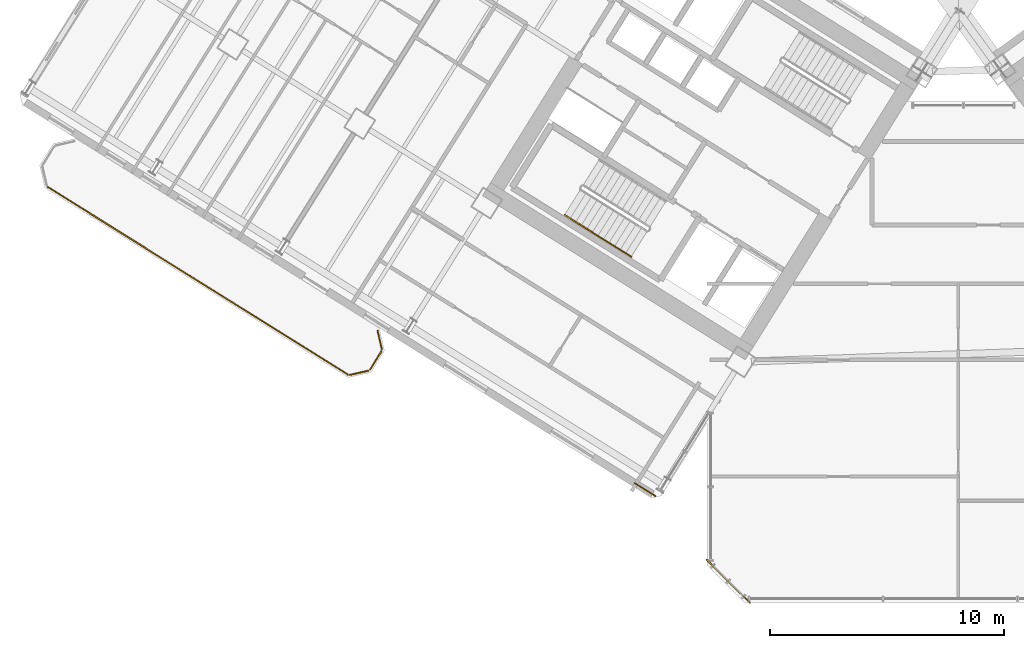
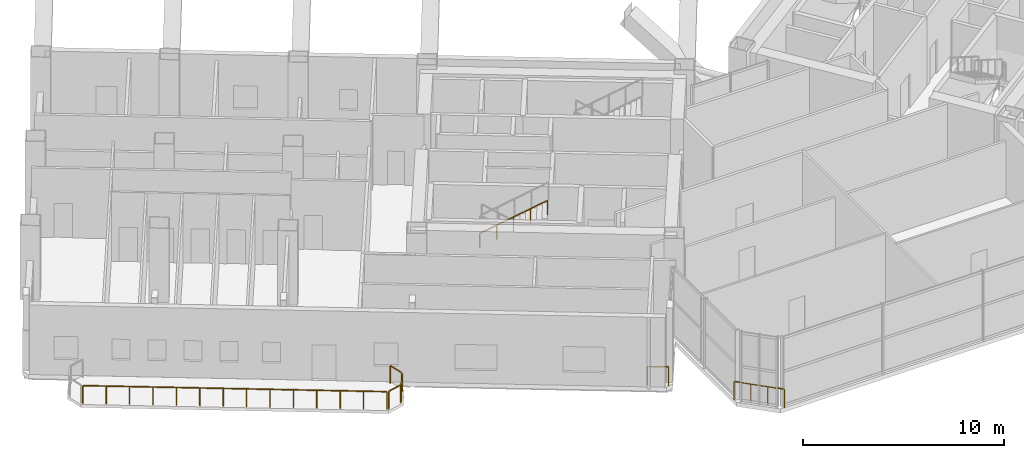
# One storey, part 27 of 30: 8 railings.
"""IFC4 building model written with IfcOpenShell, lengths in metres."""

from ifc_helpers import new_model, si_unit, direction, frame, origin, origin_2d, place, context, subcontext, project, spatial, rectangle, extrude, source, transform, mapped, material, type_object, element, save


model = new_model("IFC4")

# Units and contexts
model_context = context("Model", 3, precision=1e-05, world=origin(), true_north=direction((0.0, 1.0)))
body_context = subcontext(model_context, "Body", "Model", "MODEL_VIEW")
ifc_project = project(units=[si_unit("LENGTHUNIT", "METRE"), si_unit("AREAUNIT", "SQUARE_METRE"), si_unit("VOLUMEUNIT", "CUBIC_METRE"), si_unit("PLANEANGLEUNIT", "RADIAN"), si_unit("MASSUNIT", "GRAM", prefix="KILO")], contexts=[model_context])

# Site, building, storey
site_placement = place(None, origin())
site = spatial("IfcSite", under=ifc_project, at=site_placement, CompositionType="ELEMENT")
building_placement = place(site_placement, origin())
building = spatial("IfcBuilding", under=site, at=building_placement, Name="Tlacorven Tower", CompositionType="ELEMENT")
storey_placement = place(building_placement, frame((0.0, 0.0, 67.199951171875)))
storey = spatial("IfcBuildingStorey", under=building, at=storey_placement, Name="L17", CompositionType="ELEMENT", Elevation=67.199951171875)

# Railings
ifc_material = material(Name="Aluminium and painted steel balustrade", Category="steel")
railing_type_1 = type_object("IfcRailingType", Name="RL-BAL-1100", PredefinedType="BALUSTRADE", material=ifc_material)
shared_shape_1 = source(origin(), body_context, "Body", "SweptSolid", [
    extrude(rectangle(XDim=0.048095703125, YDim=0.048095703125, at=origin_2d()), frame((0.0, 0.0, 1.076171875), z_axis=(0.225058334816, -0.974345290916, 0.0), x_axis=(0.974345290916, 0.225058334816, 0.0)), (0.0, 0.0, 1.0), 0.80712890625),
    extrude(rectangle(XDim=0.0419921875, YDim=0.0419921875, at=origin_2d()), origin(), (0.0, 0.0, 1.0), 1.052001953125),
    extrude(rectangle(XDim=0.0419921875, YDim=0.0419921875, at=origin_2d()), frame((0.181640625, -0.786376953125, 0.0)), (0.0, 0.0, 1.0), 1.052001953125),
])
railing_1_placement = place(storey_placement, frame((17.5244140625, 13.413330078125, 0.0)))
element("IfcRailing", 1, at=railing_1_placement, inside=storey, type_object=railing_type_1, Name="BAL-L17-W-OUT Guard Railing 1", PredefinedType="BALUSTRADE", context=body_context, shape_type="MappedRepresentation", body=[
    mapped(shared_shape_1, transform((0.0, 0.0, 0.0), scale=1.0)),
])
shared_shape_2 = source(origin(), body_context, "Body", "SweptSolid", [
    extrude(rectangle(XDim=0.048095703125, YDim=0.048095703125, at=origin_2d()), frame((0.0, 0.0, 1.076171875), z_axis=(-0.52987865805, -0.848073468364, 0.0), x_axis=(0.848073468364, -0.52987865805, 0.0)), (0.0, 0.0, 1.0), 0.912353515625),
    extrude(rectangle(XDim=0.0419921875, YDim=0.0419921875, at=origin_2d()), origin(), (0.0, 0.0, 1.0), 1.052001953125),
    extrude(rectangle(XDim=0.0419921875, YDim=0.0419921875, at=origin_2d()), frame((-0.4833984375, -0.773681640625, 0.0)), (0.0, 0.0, 1.0), 1.052001953125),
])
railing_2_placement = place(storey_placement, frame((17.690673828125, 12.535888671875, 0.0)))
element("IfcRailing", 2, at=railing_2_placement, inside=storey, type_object=railing_type_1, Name="BAL-L17-W-OUT Guard Railing 2", PredefinedType="BALUSTRADE", context=body_context, shape_type="MappedRepresentation", body=[
    mapped(shared_shape_2, transform((0.0, 0.0, 0.0), scale=1.0)),
])
shared_shape_3 = source(origin(), body_context, "Body", "SweptSolid", [
    extrude(rectangle(XDim=0.048095703125, YDim=0.048095703125, at=origin_2d()), frame((0.0, 0.0, 1.076171875), z_axis=(-0.974411586182, -0.224771129628, 0.0), x_axis=(0.224771129628, -0.974411586182, 0.0)), (0.0, 0.0, 1.0), 0.80712890625),
    extrude(rectangle(XDim=0.0419921875, YDim=0.0419921875, at=origin_2d()), origin(), (0.0, 0.0, 1.0), 1.052001953125),
    extrude(rectangle(XDim=0.0419921875, YDim=0.0419921875, at=origin_2d()), frame((-0.786376953125, -0.181396484375, 0.0)), (0.0, 0.0, 1.0), 1.052001953125),
])
railing_3_placement = place(storey_placement, frame((17.132080078125, 11.70849609375, 0.0)))
element("IfcRailing", 3, at=railing_3_placement, inside=storey, type_object=railing_type_1, Name="BAL-L17-W-OUT Guard Railing 3", PredefinedType="BALUSTRADE", context=body_context, shape_type="MappedRepresentation", body=[
    mapped(shared_shape_3, transform((0.0, 0.0, 0.0), scale=1.0)),
])
shared_shape_4 = source(origin(), body_context, "Body", "SweptSolid", [
    extrude(rectangle(XDim=0.048095703125, YDim=0.048095703125, at=origin_2d()), frame((0.0, 0.0, 1.076171875), z_axis=(-0.848044572804, 0.529924902733, 0.0), x_axis=(-0.529924902733, -0.848044572804, 0.0)), (0.0, 0.0, 1.0), 15.1171875),
    extrude(rectangle(XDim=0.0419921875, YDim=0.0419921875, at=origin_2d()), origin(), (0.0, 0.0, 1.0), 1.052001953125),
    extrude(rectangle(XDim=0.0419921875, YDim=0.0419921875, at=origin_2d()), frame((-0.986083984375, 0.6162109375, 0.0)), (0.0, 0.0, 1.0), 1.052001953125),
    extrude(rectangle(XDim=0.0419921875, YDim=0.0419921875, at=origin_2d()), frame((-1.972412109375, 1.232421875, 0.0)), (0.0, 0.0, 1.0), 1.052001953125),
    extrude(rectangle(XDim=0.0419921875, YDim=0.0419921875, at=origin_2d()), frame((-2.95849609375, 1.8486328125, 0.0)), (0.0, 0.0, 1.0), 1.052001953125),
    extrude(rectangle(XDim=0.0419921875, YDim=0.0419921875, at=origin_2d()), frame((-3.944580078125, 2.46484375, 0.0)), (0.0, 0.0, 1.0), 1.052001953125),
    extrude(rectangle(XDim=0.0419921875, YDim=0.0419921875, at=origin_2d()), frame((-4.930908203125, 3.0810546875, 0.0)), (0.0, 0.0, 1.0), 1.052001953125),
    extrude(rectangle(XDim=0.0419921875, YDim=0.0419921875, at=origin_2d()), frame((-5.9169921875, 3.697265625, 0.0)), (0.0, 0.0, 1.0), 1.052001953125),
    extrude(rectangle(XDim=0.0419921875, YDim=0.0419921875, at=origin_2d()), frame((-6.903076171875, 4.313720703125, 0.0)), (0.0, 0.0, 1.0), 1.052001953125),
    extrude(rectangle(XDim=0.0419921875, YDim=0.0419921875, at=origin_2d()), frame((-7.88916015625, 4.929931640625, 0.0)), (0.0, 0.0, 1.0), 1.052001953125),
    extrude(rectangle(XDim=0.0419921875, YDim=0.0419921875, at=origin_2d()), frame((-8.87548828125, 5.546142578125, 0.0)), (0.0, 0.0, 1.0), 1.052001953125),
    extrude(rectangle(XDim=0.0419921875, YDim=0.0419921875, at=origin_2d()), frame((-9.861572265625, 6.162353515625, 0.0)), (0.0, 0.0, 1.0), 1.052001953125),
    extrude(rectangle(XDim=0.0419921875, YDim=0.0419921875, at=origin_2d()), frame((-10.84765625, 6.778564453125, 0.0)), (0.0, 0.0, 1.0), 1.052001953125),
    extrude(rectangle(XDim=0.0419921875, YDim=0.0419921875, at=origin_2d()), frame((-11.833984375, 7.394775390625, 0.0)), (0.0, 0.0, 1.0), 1.052001953125),
    extrude(rectangle(XDim=0.0419921875, YDim=0.0419921875, at=origin_2d()), frame((-12.820068359375, 8.010986328125, 0.0)), (0.0, 0.0, 1.0), 1.052001953125),
])
railing_4_placement = place(storey_placement, frame((16.254638671875, 11.542236328125, 0.0)))
element("IfcRailing", 4, at=railing_4_placement, inside=storey, type_object=railing_type_1, Name="BAL-L17-W-OUT Guard Railing 4", PredefinedType="BALUSTRADE", context=body_context, shape_type="MappedRepresentation", body=[
    mapped(shared_shape_4, transform((0.0, 0.0, 0.0), scale=1.0)),
])
railing_type_2 = type_object("IfcRailingType", Name="RL-GRD-1150", PredefinedType="GUARDRAIL", material=ifc_material)
shared_shape_5 = source(origin(), body_context, "Body", "SweptSolid", [
    extrude(rectangle(XDim=0.048095703125, YDim=0.048095703125, at=origin_2d()), frame((0.0, 0.0, 1.1259765625), z_axis=(-0.707106781187, 0.707106781187, 0.0), x_axis=(-0.707106781187, -0.707106781187, 0.0)), (0.0, 0.0, 1.0), 2.590087890625),
    extrude(rectangle(XDim=0.0419921875, YDim=0.0419921875, at=origin_2d()), origin(), (0.0, 0.0, 1.0), 1.101806640625),
    extrude(rectangle(XDim=0.0419921875, YDim=0.0419921875, at=origin_2d()), frame((-0.610595703125, 0.610595703125, 0.0)), (0.0, 0.0, 1.0), 1.101806640625),
    extrude(rectangle(XDim=0.0419921875, YDim=0.0419921875, at=origin_2d()), frame((-1.220947265625, 1.220947265625, 0.0)), (0.0, 0.0, 1.0), 1.101806640625),
    extrude(rectangle(XDim=0.0419921875, YDim=0.0419921875, at=origin_2d()), frame((-1.83154296875, 1.83154296875, 0.0)), (0.0, 0.0, 1.0), 1.101806640625),
])
railing_5_placement = place(storey_placement, frame((33.428955078125, 1.79736328125, 0.0)))
element("IfcRailing", 5, at=railing_5_placement, inside=storey, type_object=railing_type_2, Name="L17 Knuckle Glazed Sill Guard 1", PredefinedType="GUARDRAIL", context=body_context, shape_type="MappedRepresentation", body=[
    mapped(shared_shape_5, transform((0.0, 0.0, 0.0), scale=1.0)),
])
shared_shape_6 = source(origin(), body_context, "Body", "SweptSolid", [
    extrude(rectangle(XDim=0.048095703125, YDim=0.048095703125, at=origin_2d()), frame((0.0, 0.0, 1.1259765625), z_axis=(-0.848102774857, 0.529831749973, 0.0), x_axis=(-0.529831749973, -0.848102774857, 0.0)), (0.0, 0.0, 1.0), 1.050048828125),
    extrude(rectangle(XDim=0.0419921875, YDim=0.0419921875, at=origin_2d()), origin(), (0.0, 0.0, 1.0), 1.101806640625),
    extrude(rectangle(XDim=0.0419921875, YDim=0.0419921875, at=origin_2d()), frame((-0.890625, 0.556396484375, 0.0)), (0.0, 0.0, 1.0), 1.101806640625),
])
railing_6_placement = place(storey_placement, frame((29.39501953125, 6.35009765625, 0.0)))
element("IfcRailing", 6, at=railing_6_placement, inside=storey, type_object=railing_type_2, Name="L17 Knuckle Glazed Sill Guard 2", PredefinedType="GUARDRAIL", context=body_context, shape_type="MappedRepresentation", body=[
    mapped(shared_shape_6, transform((0.0, 0.0, 0.0), scale=1.0)),
])
railing_type_3 = type_object("IfcRailingType", Name="RL-HND-0900", PredefinedType="HANDRAIL", material=ifc_material)
shared_shape_7 = source(origin(), body_context, "Body", "SweptSolid", [
    extrude(rectangle(XDim=0.048095703125, YDim=0.048095703125, at=origin_2d()), frame((0.0, 0.0, 0.8759765625), z_axis=(0.721340775611, -0.4507761838, 0.52580254617), x_axis=(0.529946692594, 0.848030956397, 0.0)), (0.0, 0.0, 1.0), 1.97509765625),
    extrude(rectangle(XDim=0.0419921875, YDim=0.0419921875, at=origin_2d()), origin(), (0.0, 0.0, 1.0), 0.851806640625),
    extrude(rectangle(XDim=0.0419921875, YDim=0.0419921875, at=origin_2d()), frame((0.71240234375, -0.4453125, 0.519287109375)), (0.0, 0.0, 1.0), 0.851806640625),
    extrude(rectangle(XDim=0.0419921875, YDim=0.0419921875, at=origin_2d()), frame((1.4248046875, -0.890380859375, 1.03857421875)), (0.0, 0.0, 1.0), 0.851806640625),
])
railing_7_placement = place(storey_placement, frame((25.516357421875, 18.3603515625, 2.423095703125)))
element("IfcRailing", 7, at=railing_7_placement, inside=storey, type_object=railing_type_3, Name="L17 ST-W1 stair handrail 3", PredefinedType="HANDRAIL", context=body_context, shape_type="MappedRepresentation", body=[
    mapped(shared_shape_7, transform((0.0, 0.0, 0.0), scale=1.0)),
])
shared_shape_8 = source(origin(), body_context, "Body", "SweptSolid", [
    extrude(rectangle(XDim=0.048095703125, YDim=0.048095703125, at=origin_2d()), frame((0.0, 0.0, 0.8759765625), z_axis=(0.72136856386, -0.450747178035, 0.525789289134), x_axis=(0.529907487405, 0.848055455022, 0.0)), (0.0, 0.0, 1.0), 1.974853515625),
    extrude(rectangle(XDim=0.0419921875, YDim=0.0419921875, at=origin_2d()), origin(), (0.0, 0.0, 1.0), 0.851806640625),
    extrude(rectangle(XDim=0.0419921875, YDim=0.0419921875, at=origin_2d()), frame((0.71240234375, -0.445068359375, 0.51904296875)), (0.0, 0.0, 1.0), 0.851806640625),
    extrude(rectangle(XDim=0.0419921875, YDim=0.0419921875, at=origin_2d()), frame((1.424560546875, -0.89013671875, 1.038330078125)), (0.0, 0.0, 1.0), 0.851806640625),
])
railing_8_placement = place(storey_placement, frame((26.941162109375, 17.469970703125, 3.461669921875)))
element("IfcRailing", 8, at=railing_8_placement, inside=storey, type_object=railing_type_3, Name="L17 ST-W1 stair handrail 4", PredefinedType="HANDRAIL", context=body_context, shape_type="MappedRepresentation", body=[
    mapped(shared_shape_8, transform((0.0, 0.0, 0.0), scale=1.0)),
])

save(model, "model.ifc")
